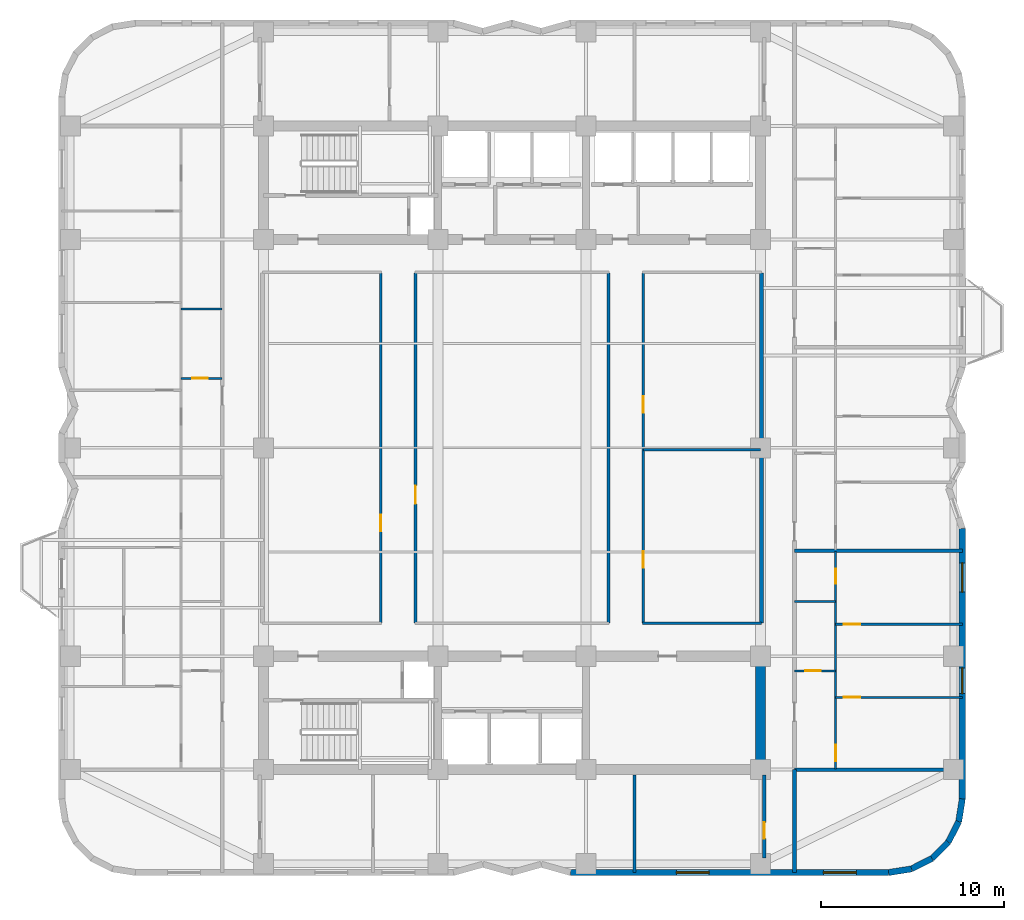
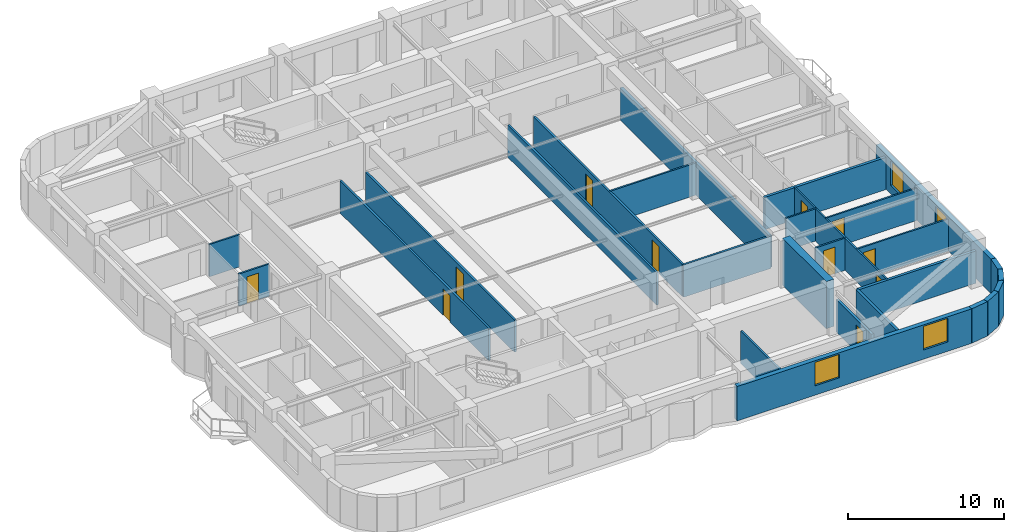
# One storey, part 4 of 9: 27 walls, 11 doors, 4 windows, 15 openings.
"""IFC4 building model written with IfcOpenShell, lengths in metres."""

from ifc_helpers import new_model, si_unit, direction, frame, frame_2d, origin, place, context, subcontext, project, spatial, rectangle, extrude, material, layer, layer_set, type_object, element, fill, save


model = new_model("IFC4")

# Units and contexts
model_context = context("Model", 3, precision=1e-05, world=origin(), true_north=direction((0.0, 1.0)))
body_context = subcontext(model_context, "Body", "Model", "MODEL_VIEW")
ifc_project = project(units=[si_unit("LENGTHUNIT", "METRE"), si_unit("AREAUNIT", "SQUARE_METRE"), si_unit("VOLUMEUNIT", "CUBIC_METRE"), si_unit("PLANEANGLEUNIT", "RADIAN"), si_unit("MASSUNIT", "GRAM", prefix="KILO")], contexts=[model_context])

# Site, building, storey
site_placement = place(None, origin())
site = spatial("IfcSite", under=ifc_project, at=site_placement, CompositionType="ELEMENT")
building_placement = place(site_placement, origin())
building = spatial("IfcBuilding", under=site, at=building_placement, Name="Svetorya Sky Lyceum", CompositionType="ELEMENT")
storey_placement = place(building_placement, frame((0.0, 0.0, 121.60009765625)))
storey = spatial("IfcBuildingStorey", under=building, at=storey_placement, Name="L30", CompositionType="ELEMENT", Elevation=121.60009765625)

# Wall
ifc_material_1 = material(Name="Concrete C60/75", Category="concrete")
ifc_layer_1 = layer(ifc_material_1, 0.550048828125)
ifc_layer_set_1 = layer_set([ifc_layer_1], Name="Concrete C60/75")
wall_type_1 = type_object("IfcWallType", Name="WL-CORE-550", PredefinedType="SHEAR", material=ifc_layer_set_1)
wall_1_placement = place(storey_placement, frame((52.800048828125, 10.875, 0.0), z_axis=(0.0, 0.0, 1.0), x_axis=(0.0, 1.0, 0.0)))
element("IfcWall", 1, at=wall_1_placement, inside=storey, type_object=wall_type_1, Name="L30 SC East Core Shear Wall", PredefinedType="SHEAR", context=body_context, shape_type="SweptSolid", body=[
    extrude(rectangle(XDim=5.64990234375, YDim=0.550048828125, at=frame_2d((2.824951171875, 0.0))), origin(), (0.0, 0.0, 1.0), 3.699951171875),
])

# Wall, openings, windows
ifc_material_2 = material(Name="Putilovo limestone rainscreen on autoclaved cellular masonry", Category="masonry")
ifc_layer_2 = layer(ifc_material_2, 0.340087890625)
ifc_layer_set_2 = layer_set([ifc_layer_2], Name="Putilovo limestone rainscreen on autoclaved cellular masonry")
wall_type_2 = type_object("IfcWallType", Name="WL-EXT-340", PredefinedType="SOLIDWALL", material=ifc_layer_set_2)
wall_2_placement = place(storey_placement, frame((42.39990234375, 4.969970703125, 0.0), z_axis=(0.0, 0.0, 1.0), x_axis=(1.0, 0.0, 0.0)))
wall_2 = element("IfcWall", 2, at=wall_2_placement, inside=storey, type_object=wall_type_2, Name="L30 Limestone Exterior Wall 11M", PredefinedType="SOLIDWALL", context=body_context, shape_type="SweptSolid", body=[
    extrude(rectangle(XDim=17.400146484375, YDim=0.340087890625, at=frame_2d((8.7001953125, 0.0))), origin(), (0.0, 0.0, 1.0), 2.699951171875),
])
opening_1_placement = place(wall_2_placement, frame((5.78759765625, 0.0, 0.72998046875)))
opening_1 = element("IfcOpeningElement", 3, at=opening_1_placement, cuts=wall_2, Name="Opening W-R1", PredefinedType="OPENING", context=body_context, shape_type="SweptSolid", body=[
    extrude(rectangle(XDim=1.800048828125, YDim=1.85009765625, at=frame_2d((0.89990234375, 0.925048828125))), frame((0.0, 0.179931640625, 0.0), z_axis=(0.0, -1.0, 0.0), x_axis=(1.0, 0.0, 0.0)), (0.0, 0.0, 1.0), 0.360107421875),
])
opening_2_placement = place(wall_2_placement, frame((13.83740234375, 0.0, 0.72998046875)))
opening_2 = element("IfcOpeningElement", 4, at=opening_2_placement, cuts=wall_2, Name="Opening W-R1", PredefinedType="OPENING", context=body_context, shape_type="SweptSolid", body=[
    extrude(rectangle(XDim=1.800048828125, YDim=1.85009765625, at=frame_2d((0.89990234375, 0.925048828125))), frame((0.0, 0.179931640625, 0.0), z_axis=(0.0, -1.0, 0.0), x_axis=(1.0, 0.0, 0.0)), (0.0, 0.0, 1.0), 0.360107421875),
])
ifc_material_3 = material(Name="Thermally broken aluminium frame with triple low-E glazing", Category="aluminium")
window_type_1 = type_object("IfcWindowType", Name="WN-RES-180", PartitioningType="DOUBLE_PANEL_VERTICAL", PredefinedType="WINDOW", material=ifc_material_3)
window_1_placement = place(opening_1_placement, origin())
window_1 = element("IfcWindow", 5, at=window_1_placement, inside=storey, type_object=window_type_1, Name="L30 Facade Window W-R1.11M.1", OverallHeight=1.85009765625, OverallWidth=1.800048828125, PartitioningType="SINGLE_PANEL", PredefinedType="WINDOW", context=body_context, shape_type="SweptSolid", body=[
    extrude(rectangle(XDim=1.800048828125, YDim=1.85009765625, at=frame_2d((0.89990234375, 0.925048828125))), frame((0.0, 0.030029296875, 0.0), z_axis=(0.0, -1.0, 0.0), x_axis=(1.0, 0.0, 0.0)), (0.0, 0.0, 1.0), 0.06005859375),
])
fill(opening_1, window_1)
window_2_placement = place(opening_2_placement, origin())
window_2 = element("IfcWindow", 6, at=window_2_placement, inside=storey, type_object=window_type_1, Name="L30 Facade Window W-R1.11M.2", OverallHeight=1.85009765625, OverallWidth=1.800048828125, PartitioningType="SINGLE_PANEL", PredefinedType="WINDOW", context=body_context, shape_type="SweptSolid", body=[
    extrude(rectangle(XDim=1.800048828125, YDim=1.85009765625, at=frame_2d((0.89990234375, 0.925048828125))), frame((0.0, 0.030029296875, 0.0), z_axis=(0.0, -1.0, 0.0), x_axis=(1.0, 0.0, 0.0)), (0.0, 0.0, 1.0), 0.06005859375),
])
fill(opening_2, window_2)

# Walls
wall_3_placement = place(storey_placement, frame((59.800048828125, 4.969970703125, 0.0), z_axis=(0.0, 0.0, 1.0), x_axis=(0.987685918112, 0.15644975923, 0.0)))
element("IfcWall", 7, at=wall_3_placement, inside=storey, type_object=wall_type_2, Name="L30 Limestone Exterior Wall 12M", PredefinedType="SOLIDWALL", context=body_context, shape_type="SweptSolid", body=[
    extrude(rectangle(XDim=1.260986328125, YDim=0.340087890625, at=frame_2d((0.63037109375, 0.0))), origin(), (0.0, 0.0, 1.0), 2.699951171875),
])
for number, where, z_axis, x_axis, name in (
    (8, (61.04541015625, 5.167236328125, 0.0), (0.0, 0.0, 1.0), (0.890953769915, 0.454094020963, 0.0), "L30 Limestone Exterior Wall 13M"),
    (9, (62.168701171875, 5.73974609375, 0.0), (0.0, 0.0, 1.0), (0.707203598708, 0.707009950407, 0.0), "L30 Limestone Exterior Wall 14M"),
):
    element("IfcWall", number, at=place(storey_placement, frame(where, z_axis=z_axis, x_axis=x_axis)), inside=storey, type_object=wall_type_2, Name=name, PredefinedType="SOLIDWALL", context=body_context, shape_type="SweptSolid", body=[
        extrude(rectangle(XDim=1.2607421875, YDim=0.340087890625, at=frame_2d((0.63037109375, 0.0))), origin(), (0.0, 0.0, 1.0), 2.699951171875),
    ])
for number, where, z_axis, x_axis, name in (
    (10, (63.060302734375, 6.631103515625, 0.0), (0.0, 0.0, 1.0), (0.454015689056, 0.890993689142, 0.0), "L30 Limestone Exterior Wall 15M"),
    (11, (63.6328125, 7.754638671875, 0.0), (0.0, 0.0, 1.0), (0.15644975923, 0.987685918112, 0.0), "L30 Limestone Exterior Wall 16M"),
):
    element("IfcWall", number, at=place(storey_placement, frame(where, z_axis=z_axis, x_axis=x_axis)), inside=storey, type_object=wall_type_2, Name=name, PredefinedType="SOLIDWALL", context=body_context, shape_type="SweptSolid", body=[
        extrude(rectangle(XDim=1.260986328125, YDim=0.340087890625, at=frame_2d((0.63037109375, 0.0))), origin(), (0.0, 0.0, 1.0), 2.699951171875),
    ])

# Wall, openings, windows
wall_4_placement = place(storey_placement, frame((63.830078125, 9.0, 0.0), z_axis=(0.0, 0.0, 1.0), x_axis=(0.0, 1.0, 0.0)))
wall_4 = element("IfcWall", 12, at=wall_4_placement, inside=storey, type_object=wall_type_2, Name="L30 Limestone Exterior Wall 17M", PredefinedType="SOLIDWALL", context=body_context, shape_type="SweptSolid", body=[
    extrude(rectangle(XDim=14.800048828125, YDim=0.340087890625, at=frame_2d((7.39990234375, 0.0))), origin(), (0.0, 0.0, 1.0), 2.699951171875),
])
opening_3_placement = place(wall_4_placement, frame((5.760009765625, 0.0, 0.68994140625)))
opening_3 = element("IfcOpeningElement", 13, at=opening_3_placement, cuts=wall_4, Name="Opening W-R2", PredefinedType="OPENING", context=body_context, shape_type="SweptSolid", body=[
    extrude(rectangle(XDim=1.39990234375, YDim=1.85009765625, at=frame_2d((0.699951171875, 0.925048828125))), frame((0.0, 0.179931640625, 0.0), z_axis=(0.0, -1.0, 0.0), x_axis=(1.0, 0.0, 0.0)), (0.0, 0.0, 1.0), 0.360107421875),
])
opening_4_placement = place(wall_4_placement, frame((11.3125, 0.0, 0.679931640625)))
opening_4 = element("IfcOpeningElement", 14, at=opening_4_placement, cuts=wall_4, Name="Opening W-R4", PredefinedType="OPENING", context=body_context, shape_type="SweptSolid", body=[
    extrude(rectangle(XDim=1.60009765625, YDim=1.89990234375, at=frame_2d((0.800048828125, 0.949951171875))), frame((0.0, 0.179931640625, 0.0), z_axis=(0.0, -1.0, 0.0), x_axis=(1.0, 0.0, 0.0)), (0.0, 0.0, 1.0), 0.360107421875),
])
window_type_2 = type_object("IfcWindowType", Name="WN-RES-140", PartitioningType="SINGLE_PANEL", PredefinedType="WINDOW", material=ifc_material_3)
window_3_placement = place(opening_3_placement, origin())
window_3 = element("IfcWindow", 15, at=window_3_placement, inside=storey, type_object=window_type_2, Name="L30 Facade Window W-R2.17M.2", OverallHeight=1.85009765625, OverallWidth=1.39990234375, PartitioningType="SINGLE_PANEL", PredefinedType="WINDOW", context=body_context, shape_type="SweptSolid", body=[
    extrude(rectangle(XDim=1.39990234375, YDim=1.85009765625, at=frame_2d((0.699951171875, 0.925048828125))), frame((0.0, 0.030029296875, 0.0), z_axis=(0.0, -1.0, 0.0), x_axis=(1.0, 0.0, 0.0)), (0.0, 0.0, 1.0), 0.06005859375),
])
fill(opening_3, window_3)
window_type_3 = type_object("IfcWindowType", Name="WN-RES-160", PartitioningType="DOUBLE_PANEL_VERTICAL", PredefinedType="WINDOW", material=ifc_material_3)
window_4_placement = place(opening_4_placement, origin())
window_4 = element("IfcWindow", 16, at=window_4_placement, inside=storey, type_object=window_type_3, Name="L30 Facade Window W-R4.17M.1", OverallHeight=1.89990234375, OverallWidth=1.60009765625, PartitioningType="SINGLE_PANEL", PredefinedType="WINDOW", context=body_context, shape_type="SweptSolid", body=[
    extrude(rectangle(XDim=1.60009765625, YDim=1.89990234375, at=frame_2d((0.800048828125, 0.949951171875))), frame((0.0, 0.030029296875, 0.0), z_axis=(0.0, -1.0, 0.0), x_axis=(1.0, 0.0, 0.0)), (0.0, 0.0, 1.0), 0.06005859375),
])
fill(opening_4, window_4)

# Wall
ifc_material_4 = material(Name="Twin-stud galvanized framing with double fireboard", Category="gypsum")
ifc_layer_3 = layer(ifc_material_4, 0.1201171875)
ifc_layer_set_3 = layer_set([ifc_layer_3], Name="Twin-stud galvanized framing with double fireboard")
wall_type_3 = type_object("IfcWallType", Name="WL-PART-120", PredefinedType="PARTITIONING", material=ifc_layer_set_3)
wall_5_placement = place(storey_placement, frame((46.3798828125, 28.10009765625, 0.0), z_axis=(0.0, 0.0, 1.0), x_axis=(1.0, 0.0, 0.0)))
element("IfcWall", 17, at=wall_5_placement, inside=storey, type_object=wall_type_3, Name="L30 Interior Partition ISL-HMID", PredefinedType="PARTITIONING", context=body_context, shape_type="SweptSolid", body=[
    extrude(rectangle(XDim=6.420166015625, YDim=0.1201171875, at=frame_2d((3.2099609375, 0.0))), origin(), (0.0, 0.0, 1.0), 2.52978515625),
])

# Wall, opening, door
wall_6_placement = place(storey_placement, frame((21.10009765625, 32.0, 0.0), z_axis=(0.0, 0.0, 1.0), x_axis=(1.0, 0.0, 0.0)))
wall_6 = element("IfcWall", 18, at=wall_6_placement, inside=storey, type_object=wall_type_3, Name="L30 Interior Partition W2-WH1", PredefinedType="PARTITIONING", context=body_context, shape_type="SweptSolid", body=[
    extrude(rectangle(XDim=2.25, YDim=0.1201171875, at=frame_2d((1.125, 0.0))), origin(), (0.0, 0.0, 1.0), 2.52978515625),
])
opening_5_placement = place(wall_6_placement, frame((0.60009765625, 0.0, 0.0)))
opening_5 = element("IfcOpeningElement", 19, at=opening_5_placement, cuts=wall_6, Name="Opening D-BT1", PredefinedType="OPENING", context=body_context, shape_type="SweptSolid", body=[
    extrude(rectangle(XDim=0.85009765625, YDim=2.10009765625, at=frame_2d((0.425048828125, 1.050048828125))), frame((0.0, 0.070068359375, 0.0), z_axis=(0.0, -1.0, 0.0), x_axis=(1.0, 0.0, 0.0)), (0.0, 0.0, 1.0), 0.14013671875),
])
ifc_material_5 = material(Name="Moisture-resistant laminate bathroom door")
door_type_1 = type_object("IfcDoorType", Name="DR-WET-850", OperationType="SINGLE_SWING_LEFT", PredefinedType="DOOR", material=ifc_material_5)
door_1_placement = place(opening_5_placement, origin())
door_1 = element("IfcDoor", 20, at=door_1_placement, inside=storey, type_object=door_type_1, Name="Apartment W2 Bathroom Door", OperationType="SINGLE_SWING_RIGHT", OverallHeight=2.10009765625, OverallWidth=0.85009765625, PredefinedType="DOOR", context=body_context, shape_type="SweptSolid", body=[
    extrude(rectangle(XDim=0.85009765625, YDim=2.10009765625, at=frame_2d((0.425048828125, 1.050048828125))), frame((0.0, 0.02490234375, 0.0), z_axis=(0.0, -1.0, 0.0), x_axis=(1.0, 0.0, 0.0)), (0.0, 0.0, 1.0), 0.050048828125),
])
fill(opening_5, door_1)

# Wall
wall_7_placement = place(storey_placement, frame((21.10009765625, 35.800048828125, 0.0), z_axis=(0.0, 0.0, 1.0), x_axis=(1.0, 0.0, 0.0)))
element("IfcWall", 21, at=wall_7_placement, inside=storey, type_object=wall_type_3, Name="L30 Interior Partition W2-WH2", PredefinedType="PARTITIONING", context=body_context, shape_type="SweptSolid", body=[
    extrude(rectangle(XDim=2.25, YDim=0.1201171875, at=frame_2d((1.125, 0.0))), origin(), (0.0, 0.0, 1.0), 2.52978515625),
])

# Wall, opening, door
wall_8_placement = place(storey_placement, frame((54.64990234375, 16.0, 0.0), z_axis=(0.0, 0.0, 1.0), x_axis=(1.0, 0.0, 0.0)))
wall_8 = element("IfcWall", 22, at=wall_8_placement, inside=storey, type_object=wall_type_3, Name="L30 Interior Partition E1-WH1", PredefinedType="PARTITIONING", context=body_context, shape_type="SweptSolid", body=[
    extrude(rectangle(XDim=2.25, YDim=0.1201171875, at=frame_2d((1.125, 0.0))), origin(), (0.0, 0.0, 1.0), 2.52978515625),
])
opening_6_placement = place(wall_8_placement, frame((0.60009765625, 0.0, 0.0)))
opening_6 = element("IfcOpeningElement", 23, at=opening_6_placement, cuts=wall_8, Name="Opening D-BT1", PredefinedType="OPENING", context=body_context, shape_type="SweptSolid", body=[
    extrude(rectangle(XDim=0.85009765625, YDim=2.10009765625, at=frame_2d((0.425048828125, 1.050048828125))), frame((0.0, 0.070068359375, 0.0), z_axis=(0.0, -1.0, 0.0), x_axis=(1.0, 0.0, 0.0)), (0.0, 0.0, 1.0), 0.14013671875),
])
door_2_placement = place(opening_6_placement, origin())
door_2 = element("IfcDoor", 24, at=door_2_placement, inside=storey, type_object=door_type_1, Name="Apartment E1 Bathroom Door", OperationType="SINGLE_SWING_RIGHT", OverallHeight=2.10009765625, OverallWidth=0.85009765625, PredefinedType="DOOR", context=body_context, shape_type="SweptSolid", body=[
    extrude(rectangle(XDim=0.85009765625, YDim=2.10009765625, at=frame_2d((0.425048828125, 1.050048828125))), frame((0.0, 0.02490234375, 0.0), z_axis=(0.0, -1.0, 0.0), x_axis=(1.0, 0.0, 0.0)), (0.0, 0.0, 1.0), 0.050048828125),
])
fill(opening_6, door_2)

# Wall
wall_9_placement = place(storey_placement, frame((54.64990234375, 19.800048828125, 0.0), z_axis=(0.0, 0.0, 1.0), x_axis=(1.0, 0.0, 0.0)))
element("IfcWall", 25, at=wall_9_placement, inside=storey, type_object=wall_type_3, Name="L30 Interior Partition E1-WH2", PredefinedType="PARTITIONING", context=body_context, shape_type="SweptSolid", body=[
    extrude(rectangle(XDim=2.25, YDim=0.1201171875, at=frame_2d((1.125, 0.0))), origin(), (0.0, 0.0, 1.0), 2.52978515625),
])

# Wall, opening, door
wall_10_placement = place(storey_placement, frame((56.89990234375, 14.550048828125, 0.0), z_axis=(0.0, 0.0, 1.0), x_axis=(1.0, 0.0, 0.0)))
wall_10 = element("IfcWall", 26, at=wall_10_placement, inside=storey, type_object=wall_type_3, Name="L30 Interior Partition E1-WL1", PredefinedType="PARTITIONING", context=body_context, shape_type="SweptSolid", body=[
    extrude(rectangle(XDim=6.93017578125, YDim=0.1201171875, at=frame_2d((3.465087890625, 0.0))), origin(), (0.0, 0.0, 1.0), 2.52978515625),
])
opening_7_placement = place(wall_10_placement, frame((0.449951171875, 0.0, 0.0)))
opening_7 = element("IfcOpeningElement", 27, at=opening_7_placement, cuts=wall_10, Name="Opening D-RM1", PredefinedType="OPENING", context=body_context, shape_type="SweptSolid", body=[
    extrude(rectangle(XDim=0.89990234375, YDim=2.10009765625, at=frame_2d((0.449951171875, 1.050048828125))), frame((0.0, 0.070068359375, 0.0), z_axis=(0.0, -1.0, 0.0), x_axis=(1.0, 0.0, 0.0)), (0.0, 0.0, 1.0), 0.14013671875),
])
ifc_material_6 = material(Name="Lacquered birch veneer internal door")
door_type_2 = type_object("IfcDoorType", Name="DR-INT-900", OperationType="SINGLE_SWING_LEFT", PredefinedType="DOOR", material=ifc_material_6)
door_3_placement = place(opening_7_placement, origin())
door_3 = element("IfcDoor", 28, at=door_3_placement, inside=storey, type_object=door_type_2, Name="Apartment E1 Master Bedroom Door", OperationType="SINGLE_SWING_RIGHT", OverallHeight=2.10009765625, OverallWidth=0.89990234375, PredefinedType="DOOR", context=body_context, shape_type="SweptSolid", body=[
    extrude(rectangle(XDim=0.89990234375, YDim=2.10009765625, at=frame_2d((0.449951171875, 1.050048828125))), frame((0.0, 0.02490234375, 0.0), z_axis=(0.0, -1.0, 0.0), x_axis=(1.0, 0.0, 0.0)), (0.0, 0.0, 1.0), 0.050048828125),
])
fill(opening_7, door_3)

wall_11_placement = place(storey_placement, frame((56.89990234375, 18.550048828125, 0.0), z_axis=(0.0, 0.0, 1.0), x_axis=(1.0, 0.0, 0.0)))
wall_11 = element("IfcWall", 29, at=wall_11_placement, inside=storey, type_object=wall_type_3, Name="L30 Interior Partition E1-WL2", PredefinedType="PARTITIONING", context=body_context, shape_type="SweptSolid", body=[
    extrude(rectangle(XDim=6.93017578125, YDim=0.1201171875, at=frame_2d((3.465087890625, 0.0))), origin(), (0.0, 0.0, 1.0), 2.52978515625),
])
opening_8_placement = place(wall_11_placement, frame((0.449951171875, 0.0, 0.0)))
opening_8 = element("IfcOpeningElement", 30, at=opening_8_placement, cuts=wall_11, Name="Opening D-RM1", PredefinedType="OPENING", context=body_context, shape_type="SweptSolid", body=[
    extrude(rectangle(XDim=0.89990234375, YDim=2.10009765625, at=frame_2d((0.449951171875, 1.050048828125))), frame((0.0, 0.070068359375, 0.0), z_axis=(0.0, -1.0, 0.0), x_axis=(1.0, 0.0, 0.0)), (0.0, 0.0, 1.0), 0.14013671875),
])
door_4_placement = place(opening_8_placement, origin())
door_4 = element("IfcDoor", 31, at=door_4_placement, inside=storey, type_object=door_type_2, Name="Apartment E1 Bedroom 2 Door", OperationType="SINGLE_SWING_LEFT", OverallHeight=2.10009765625, OverallWidth=0.89990234375, PredefinedType="DOOR", context=body_context, shape_type="SweptSolid", body=[
    extrude(rectangle(XDim=0.89990234375, YDim=2.10009765625, at=frame_2d((0.449951171875, 1.050048828125))), frame((0.0, 0.02490234375, 0.0), z_axis=(0.0, -1.0, 0.0), x_axis=(1.0, 0.0, 0.0)), (0.0, 0.0, 1.0), 0.050048828125),
])
fill(opening_8, door_4)

# Wall, openings, doors
wall_12_placement = place(storey_placement, frame((56.89990234375, 10.639892578125, 0.0), z_axis=(0.0, 0.0, 1.0), x_axis=(0.0, 1.0, 0.0)))
wall_12 = element("IfcWall", 32, at=wall_12_placement, inside=storey, type_object=wall_type_3, Name="L30 Interior Partition E1-WV", PredefinedType="PARTITIONING", context=body_context, shape_type="SweptSolid", body=[
    extrude(rectangle(XDim=11.88818359375, YDim=0.1201171875, at=frame_2d((5.944091796875, 0.0))), origin(), (0.0, 0.0, 1.0), 2.52978515625),
])
opening_9_placement = place(wall_12_placement, frame((0.409912109375, 0.0, 0.0)))
opening_9 = element("IfcOpeningElement", 33, at=opening_9_placement, cuts=wall_12, Name="Opening D-RM1", PredefinedType="OPENING", context=body_context, shape_type="SweptSolid", body=[
    extrude(rectangle(XDim=0.89990234375, YDim=2.10009765625, at=frame_2d((0.449951171875, 1.050048828125))), frame((0.0, 0.070068359375, 0.0), z_axis=(0.0, -1.0, 0.0), x_axis=(1.0, 0.0, 0.0)), (0.0, 0.0, 1.0), 0.14013671875),
])
opening_10_placement = place(wall_12_placement, frame((10.118896484375, 0.0, 0.0)))
opening_10 = element("IfcOpeningElement", 34, at=opening_10_placement, cuts=wall_12, Name="Opening D-BT2", PredefinedType="OPENING", context=body_context, shape_type="SweptSolid", body=[
    extrude(rectangle(XDim=0.820068359375, YDim=2.080078125, at=frame_2d((0.41015625, 1.0400390625))), frame((0.0, 0.070068359375, 0.0), z_axis=(0.0, -1.0, 0.0), x_axis=(1.0, 0.0, 0.0)), (0.0, 0.0, 1.0), 0.14013671875),
])
door_5_placement = place(opening_9_placement, origin())
door_5 = element("IfcDoor", 35, at=door_5_placement, inside=storey, type_object=door_type_2, Name="Apartment E1 Living Door", OperationType="SINGLE_SWING_LEFT", OverallHeight=2.10009765625, OverallWidth=0.89990234375, PredefinedType="DOOR", context=body_context, shape_type="SweptSolid", body=[
    extrude(rectangle(XDim=0.89990234375, YDim=2.10009765625, at=frame_2d((0.449951171875, 1.050048828125))), frame((0.0, 0.02490234375, 0.0), z_axis=(0.0, -1.0, 0.0), x_axis=(1.0, 0.0, 0.0)), (0.0, 0.0, 1.0), 0.050048828125),
])
fill(opening_9, door_5)
ifc_material_7 = material(Name="Compact moisture-resistant laminate closet door")
door_type_3 = type_object("IfcDoorType", Name="DR-WET-820", OperationType="SINGLE_SWING_LEFT", PredefinedType="DOOR", material=ifc_material_7)
door_6_placement = place(opening_10_placement, origin())
door_6 = element("IfcDoor", 36, at=door_6_placement, inside=storey, type_object=door_type_3, Name="Apartment E1 Study Door", OperationType="SINGLE_SWING_RIGHT", OverallHeight=2.080078125, OverallWidth=0.820068359375, PredefinedType="DOOR", context=body_context, shape_type="SweptSolid", body=[
    extrude(rectangle(XDim=0.820068359375, YDim=2.080078125, at=frame_2d((0.41015625, 1.0400390625))), frame((0.0, 0.02490234375, 0.0), z_axis=(0.0, -1.0, 0.0), x_axis=(1.0, 0.0, 0.0)), (0.0, 0.0, 1.0), 0.050048828125),
])
fill(opening_10, door_6)

# Wall
ifc_material_8 = material(Name="Autoclaved cellular masonry blockwork with acoustic render", Category="masonry")
ifc_layer_4 = layer(ifc_material_8, 0.14990234375)
ifc_layer_set_4 = layer_set([ifc_layer_4], Name="Autoclaved cellular masonry blockwork with acoustic render")
wall_type_4 = type_object("IfcWallType", Name="WL-PART-150", PredefinedType="PARTITIONING", material=ifc_layer_set_4)
wall_13_placement = place(storey_placement, frame((46.35009765625, 18.60009765625, 0.0), z_axis=(0.0, 0.0, 1.0), x_axis=(1.0, 0.0, 0.0)))
element("IfcWall", 37, at=wall_13_placement, inside=storey, type_object=wall_type_4, Name="L30 Interior Partition RL-CS-E", PredefinedType="PARTITIONING", context=body_context, shape_type="SweptSolid", body=[
    extrude(rectangle(XDim=6.5, YDim=0.14990234375, at=frame_2d((3.25, 0.0))), origin(), (0.0, 0.0, 1.0), 2.52978515625),
])

# Wall, opening, door
wall_14_placement = place(storey_placement, frame((32.02001953125, 18.6298828125, 0.0), z_axis=(0.0, 0.0, 1.0), x_axis=(0.0, 1.0, 0.0)))
wall_14 = element("IfcWall", 38, at=wall_14_placement, inside=storey, type_object=wall_type_4, Name="L30 Interior Partition ISL-WW", PredefinedType="PARTITIONING", context=body_context, shape_type="SweptSolid", body=[
    extrude(rectangle(XDim=19.14013671875, YDim=0.14990234375, at=frame_2d((9.570068359375, 0.0))), origin(), (0.0, 0.0, 1.0), 2.52978515625),
])
opening_11_placement = place(wall_14_placement, frame((5.0, 0.0, 0.0)))
opening_11 = element("IfcOpeningElement", 39, at=opening_11_placement, cuts=wall_14, Name="Opening D-RM1", PredefinedType="OPENING", context=body_context, shape_type="SweptSolid", body=[
    extrude(rectangle(XDim=0.89990234375, YDim=2.10009765625, at=frame_2d((0.449951171875, 1.050048828125))), frame((0.0, 0.0849609375, 0.0), z_axis=(0.0, -1.0, 0.0), x_axis=(1.0, 0.0, 0.0)), (0.0, 0.0, 1.0), 0.169921875),
])
door_7_placement = place(opening_11_placement, origin())
door_7 = element("IfcDoor", 40, at=door_7_placement, inside=storey, type_object=door_type_2, Name="L30 Atelier Door", OperationType="SINGLE_SWING_RIGHT", OverallHeight=2.10009765625, OverallWidth=0.89990234375, PredefinedType="DOOR", context=body_context, shape_type="SweptSolid", body=[
    extrude(rectangle(XDim=0.89990234375, YDim=2.10009765625, at=frame_2d((0.449951171875, 1.050048828125))), frame((0.0, 0.02490234375, 0.0), z_axis=(0.0, -1.0, 0.0), x_axis=(1.0, 0.0, 0.0)), (0.0, 0.0, 1.0), 0.050048828125),
])
fill(opening_11, door_7)

wall_15_placement = place(storey_placement, frame((33.919921875, 18.6298828125, 0.0), z_axis=(0.0, 0.0, 1.0), x_axis=(0.0, 1.0, 0.0)))
wall_15 = element("IfcWall", 41, at=wall_15_placement, inside=storey, type_object=wall_type_4, Name="L30 Interior Partition ISL-WE", PredefinedType="PARTITIONING", context=body_context, shape_type="SweptSolid", body=[
    extrude(rectangle(XDim=19.14013671875, YDim=0.14990234375, at=frame_2d((9.570068359375, 0.0))), origin(), (0.0, 0.0, 1.0), 2.52978515625),
])
opening_12_placement = place(wall_15_placement, frame((6.5, 0.0, 0.0)))
opening_12 = element("IfcOpeningElement", 42, at=opening_12_placement, cuts=wall_15, Name="Opening D-RM2", PredefinedType="OPENING", context=body_context, shape_type="SweptSolid", body=[
    extrude(rectangle(XDim=1.0, YDim=2.14990234375, at=frame_2d((0.5, 1.074951171875))), frame((0.0, 0.0849609375, 0.0), z_axis=(0.0, -1.0, 0.0), x_axis=(1.0, 0.0, 0.0)), (0.0, 0.0, 1.0), 0.169921875),
])
ifc_material_9 = material(Name="Solid-core oak acoustic room door")
door_type_4 = type_object("IfcDoorType", Name="DR-INT-1000", OperationType="SINGLE_SWING_LEFT", PredefinedType="DOOR", material=ifc_material_9)
door_8_placement = place(opening_12_placement, origin())
door_8 = element("IfcDoor", 43, at=door_8_placement, inside=storey, type_object=door_type_4, Name="L30 Wellness Door", OperationType="SINGLE_SWING_LEFT", OverallHeight=2.14990234375, OverallWidth=1.0, PredefinedType="DOOR", context=body_context, shape_type="SweptSolid", body=[
    extrude(rectangle(XDim=1.0, YDim=2.14990234375, at=frame_2d((0.5, 1.074951171875))), frame((0.0, 0.02490234375, 0.0), z_axis=(0.0, -1.0, 0.0), x_axis=(1.0, 0.0, 0.0)), (0.0, 0.0, 1.0), 0.050048828125),
])
fill(opening_12, door_8)

# Wall
wall_16_placement = place(storey_placement, frame((44.47998046875, 18.6298828125, 0.0), z_axis=(0.0, 0.0, 1.0), x_axis=(0.0, 1.0, 0.0)))
element("IfcWall", 44, at=wall_16_placement, inside=storey, type_object=wall_type_4, Name="L30 Interior Partition ISL-EW", PredefinedType="PARTITIONING", context=body_context, shape_type="SweptSolid", body=[
    extrude(rectangle(XDim=19.14013671875, YDim=0.14990234375, at=frame_2d((9.570068359375, 0.0))), origin(), (0.0, 0.0, 1.0), 2.52978515625),
])

# Wall, openings, doors
wall_17_placement = place(storey_placement, frame((46.3798828125, 18.6298828125, 0.0), z_axis=(0.0, 0.0, 1.0), x_axis=(0.0, 1.0, 0.0)))
wall_17 = element("IfcWall", 45, at=wall_17_placement, inside=storey, type_object=wall_type_4, Name="L30 Interior Partition ISL-EE", PredefinedType="PARTITIONING", context=body_context, shape_type="SweptSolid", body=[
    extrude(rectangle(XDim=19.14013671875, YDim=0.14990234375, at=frame_2d((9.570068359375, 0.0))), origin(), (0.0, 0.0, 1.0), 2.52978515625),
])
opening_13_placement = place(wall_17_placement, frame((3.0, 0.0, 0.0)))
opening_13 = element("IfcOpeningElement", 46, at=opening_13_placement, cuts=wall_17, Name="Opening D-RM1", PredefinedType="OPENING", context=body_context, shape_type="SweptSolid", body=[
    extrude(rectangle(XDim=0.89990234375, YDim=2.10009765625, at=frame_2d((0.449951171875, 1.050048828125))), frame((0.0, 0.0849609375, 0.0), z_axis=(0.0, -1.0, 0.0), x_axis=(1.0, 0.0, 0.0)), (0.0, 0.0, 1.0), 0.169921875),
])
opening_14_placement = place(wall_17_placement, frame((11.5, 0.0, 0.0)))
opening_14 = element("IfcOpeningElement", 47, at=opening_14_placement, cuts=wall_17, Name="Opening D-RM1", PredefinedType="OPENING", context=body_context, shape_type="SweptSolid", body=[
    extrude(rectangle(XDim=0.89990234375, YDim=2.10009765625, at=frame_2d((0.449951171875, 1.050048828125))), frame((0.0, 0.0849609375, 0.0), z_axis=(0.0, -1.0, 0.0), x_axis=(1.0, 0.0, 0.0)), (0.0, 0.0, 1.0), 0.169921875),
])
door_9_placement = place(opening_13_placement, origin())
door_9 = element("IfcDoor", 48, at=door_9_placement, inside=storey, type_object=door_type_2, Name="L30 Focus Door", OperationType="SINGLE_SWING_LEFT", OverallHeight=2.10009765625, OverallWidth=0.89990234375, PredefinedType="DOOR", context=body_context, shape_type="SweptSolid", body=[
    extrude(rectangle(XDim=0.89990234375, YDim=2.10009765625, at=frame_2d((0.449951171875, 1.050048828125))), frame((0.0, 0.02490234375, 0.0), z_axis=(0.0, -1.0, 0.0), x_axis=(1.0, 0.0, 0.0)), (0.0, 0.0, 1.0), 0.050048828125),
])
fill(opening_13, door_9)
door_10_placement = place(opening_14_placement, origin())
door_10 = element("IfcDoor", 49, at=door_10_placement, inside=storey, type_object=door_type_2, Name="L30 East Meeting Door", OperationType="SINGLE_SWING_RIGHT", OverallHeight=2.10009765625, OverallWidth=0.89990234375, PredefinedType="DOOR", context=body_context, shape_type="SweptSolid", body=[
    extrude(rectangle(XDim=0.89990234375, YDim=2.10009765625, at=frame_2d((0.449951171875, 1.050048828125))), frame((0.0, 0.02490234375, 0.0), z_axis=(0.0, -1.0, 0.0), x_axis=(1.0, 0.0, 0.0)), (0.0, 0.0, 1.0), 0.050048828125),
])
fill(opening_14, door_10)

# Walls
wall_18_placement = place(storey_placement, frame((45.89990234375, 4.969970703125, 0.0), z_axis=(0.0, 0.0, 1.0), x_axis=(0.0, 1.0, 0.0)))
element("IfcWall", 50, at=wall_18_placement, inside=storey, type_object=wall_type_4, Name="L30 Interior Partition S-D2", PredefinedType="PARTITIONING", context=body_context, shape_type="SweptSolid", body=[
    extrude(rectangle(XDim=5.330078125, YDim=0.14990234375, at=frame_2d((2.6650390625, 0.0))), origin(), (0.0, 0.0, 1.0), 2.52978515625),
])
ifc_material_10 = material(Name="Autoclaved cellular masonry blockwork with gypsum plaster", Category="masonry")
ifc_layer_5 = layer(ifc_material_10, 0.199951171875)
ifc_layer_set_5 = layer_set([ifc_layer_5], Name="Autoclaved cellular masonry blockwork with gypsum plaster")
wall_type_5 = type_object("IfcWallType", Name="WL-PART-200", PredefinedType="PARTITIONING", material=ifc_layer_set_5)
wall_19_placement = place(storey_placement, frame((52.85009765625, 18.6298828125, 0.0), z_axis=(0.0, 0.0, 1.0), x_axis=(0.0, 1.0, 0.0)))
element("IfcWall", 51, at=wall_19_placement, inside=storey, type_object=wall_type_5, Name="L30 Interior Partition E-CEN-SEP", PredefinedType="PARTITIONING", context=body_context, shape_type="SweptSolid", body=[
    extrude(rectangle(XDim=19.14013671875, YDim=0.199951171875, at=frame_2d((9.570068359375, 0.0))), origin(), (0.0, 0.0, 1.0), 2.52978515625),
])
wall_20_placement = place(storey_placement, frame((54.64990234375, 22.568115234375, 0.0), z_axis=(0.0, 0.0, 1.0), x_axis=(1.0, 0.0, 0.0)))
element("IfcWall", 52, at=wall_20_placement, inside=storey, type_object=wall_type_5, Name="L30 Interior Partition E-PARTY-1", PredefinedType="PARTITIONING", context=body_context, shape_type="SweptSolid", body=[
    extrude(rectangle(XDim=9.18017578125, YDim=0.199951171875, at=frame_2d((4.590087890625, 0.0))), origin(), (0.0, 0.0, 1.0), 2.52978515625),
])
wall_21_placement = place(storey_placement, frame((54.64990234375, 10.60009765625, 0.0), z_axis=(0.0, 0.0, 1.0), x_axis=(1.0, 0.0, 0.0)))
element("IfcWall", 53, at=wall_21_placement, inside=storey, type_object=wall_type_5, Name="L30 Interior Partition E-CAP-S", PredefinedType="PARTITIONING", context=body_context, shape_type="SweptSolid", body=[
    extrude(rectangle(XDim=8.760009765625, YDim=0.199951171875, at=frame_2d((4.3798828125, 0.0))), origin(), (0.0, 0.0, 1.0), 2.52978515625),
])
wall_22_placement = place(storey_placement, frame((54.64990234375, 4.969970703125, 0.0), z_axis=(0.0, 0.0, 1.0), x_axis=(0.0, 1.0, 0.0)))
element("IfcWall", 54, at=wall_22_placement, inside=storey, type_object=wall_type_5, Name="L30 Interior Partition EC-SE-END", PredefinedType="PARTITIONING", context=body_context, shape_type="SweptSolid", body=[
    extrude(rectangle(XDim=5.630126953125, YDim=0.199951171875, at=frame_2d((2.81494140625, 0.0))), origin(), (0.0, 0.0, 1.0), 2.52978515625),
])

# Wall, opening, door
wall_23_placement = place(storey_placement, frame((53.0, 5.77001953125, 0.0), z_axis=(0.0, 0.0, 1.0), x_axis=(0.0, 1.0, 0.0)))
wall_23 = element("IfcWall", 55, at=wall_23_placement, inside=storey, type_object=wall_type_5, Name="L30 Interior Partition S-EE", PredefinedType="PARTITIONING", context=body_context, shape_type="SweptSolid", body=[
    extrude(rectangle(XDim=4.530029296875, YDim=0.199951171875, at=frame_2d((2.26513671875, 0.0))), origin(), (0.0, 0.0, 1.0), 2.52978515625),
])
opening_15_placement = place(wall_23_placement, frame((1.050048828125, 0.0, 0.0)))
opening_15 = element("IfcOpeningElement", 56, at=opening_15_placement, cuts=wall_23, Name="Opening D-RM1", PredefinedType="OPENING", context=body_context, shape_type="SweptSolid", body=[
    extrude(rectangle(XDim=0.89990234375, YDim=2.10009765625, at=frame_2d((0.449951171875, 1.050048828125))), frame((0.0, 0.10986328125, 0.0), z_axis=(0.0, -1.0, 0.0), x_axis=(1.0, 0.0, 0.0)), (0.0, 0.0, 1.0), 0.219970703125),
])
door_11_placement = place(opening_15_placement, origin())
door_11 = element("IfcDoor", 57, at=door_11_placement, inside=storey, type_object=door_type_2, Name="L30 South Focus Door", OperationType="SINGLE_SWING_RIGHT", OverallHeight=2.10009765625, OverallWidth=0.89990234375, PredefinedType="DOOR", context=body_context, shape_type="SweptSolid", body=[
    extrude(rectangle(XDim=0.89990234375, YDim=2.10009765625, at=frame_2d((0.449951171875, 1.050048828125))), frame((0.0, 0.02490234375, 0.0), z_axis=(0.0, -1.0, 0.0), x_axis=(1.0, 0.0, 0.0)), (0.0, 0.0, 1.0), 0.050048828125),
])
fill(opening_15, door_11)

save(model, "model.ifc")
